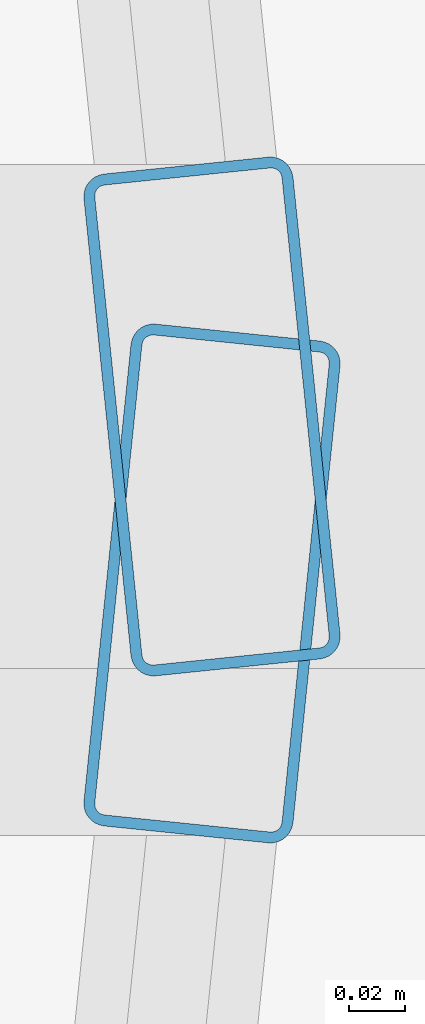
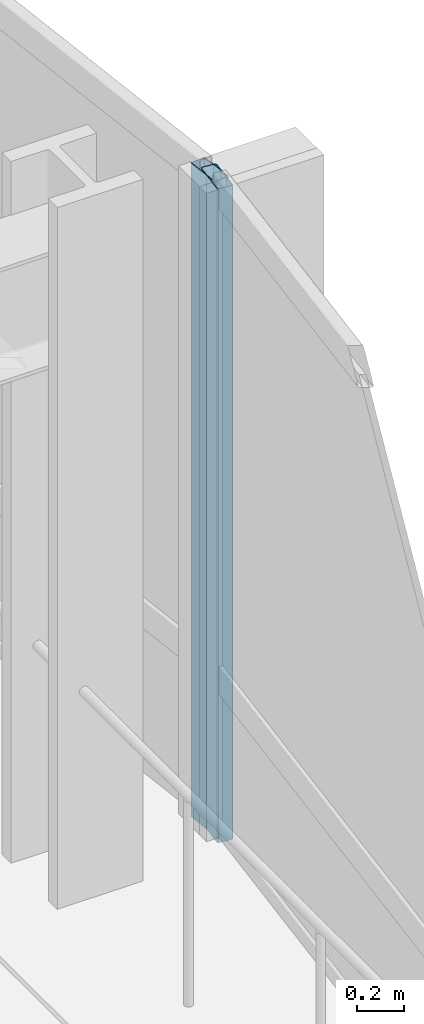
# One storey, part 25 of 34: 2 members, 2 elements without a shape of their own.
"""IFC4 building model written with IfcOpenShell, lengths in metres."""

from ifc_helpers import new_model, si_unit, direction, frame, origin, origin_2d, place, context, subcontext, project, spatial, hollow_rectangle, extrude, material, layer, layer_set, material_profile, profile_set, type_object, element, aggregate, save


model = new_model("IFC4")

# Units and contexts
model_context = context("Model", 3, precision=1e-05, world=origin(), true_north=direction((0.0, 1.0)))
body_context = subcontext(model_context, "Body", "Model", "MODEL_VIEW")
ifc_project = project(units=[si_unit("LENGTHUNIT", "METRE"), si_unit("AREAUNIT", "SQUARE_METRE"), si_unit("VOLUMEUNIT", "CUBIC_METRE"), si_unit("PLANEANGLEUNIT", "RADIAN"), si_unit("MASSUNIT", "GRAM", prefix="KILO")], contexts=[model_context])

# Site, building, storey
site_placement = place(None, origin())
site = spatial("IfcSite", under=ifc_project, at=site_placement, CompositionType="ELEMENT")
building_placement = place(site_placement, origin())
building = spatial("IfcBuilding", under=site, at=building_placement, Name="Solvaryn Broadcast Tower", CompositionType="ELEMENT")
storey_placement = place(building_placement, frame((0.0, 0.0, 73.0)))
storey = spatial("IfcBuildingStorey", under=building, at=storey_placement, Name="L17", CompositionType="ELEMENT", Elevation=73.0)

# Curtain wall, member
ifc_material_1 = material(Name="Aluminium and Terracotta Unitised Curtain Wall", Category="masonry")
ifc_layer = layer(ifc_material_1, 0.199951171875)
ifc_layer_set = layer_set([ifc_layer], Name="CW-SYS2-LOWMID")
curtain_wall_type = type_object("IfcCurtainWallType", Name="CW-SYS2-LOWMID", PredefinedType="NOTDEFINED", material=ifc_layer_set)
curtain_wall_1_placement = place(storey_placement, origin())
curtain_wall_1 = element("IfcCurtainWall", 1, at=curtain_wall_1_placement, inside=storey, type_object=curtain_wall_type, Name="L17 Curtain Wall ET1", PredefinedType="NOTDEFINED")
ifc_material_2 = material(Name="Anodised Aluminium 6063-T6", Category="aluminium")
ifc_material_profile = material_profile(ifc_material_2, hollow_rectangle(XDim=0.074951171875, YDim=0.179931640625, WallThickness=0.00390625, InnerFilletRadius=0.00390625, OuterFilletRadius=0.008056640625, at=origin_2d()))
ifc_profile_set = profile_set([ifc_material_profile], Name="Anodised Aluminium 6063-T6")
member_type = type_object("IfcMemberType", Name="CW-MUL-180", PredefinedType="MULLION", material=ifc_profile_set)
member_1_placement = place(storey_placement, frame((63.697021484375, 18.02978515625, 0.0), z_axis=(0.0, 0.0, 1.0), x_axis=(0.99474329889, 0.10240004548, 0.0)))
member_1 = element("IfcMember", 2, at=member_1_placement, type_object=member_type, Name="CWS2 mullion 2", PredefinedType="MULLION", context=body_context, shape_type="SweptSolid", body=[
    extrude(hollow_rectangle(XDim=0.074951171875, YDim=0.179931640625, WallThickness=0.00390625, InnerFilletRadius=0.00390625, OuterFilletRadius=0.008056640625, at=origin_2d()), origin(), (0.0, 0.0, 1.0), 3.419921875),
])
aggregate(curtain_wall_1, [member_1])

curtain_wall_2_placement = place(storey_placement, origin())
curtain_wall_2 = element("IfcCurtainWall", 3, at=curtain_wall_2_placement, inside=storey, type_object=curtain_wall_type, Name="L17 Curtain Wall ET2", PredefinedType="NOTDEFINED")
member_2_placement = place(storey_placement, frame((63.697021484375, 17.97021484375, 0.0), z_axis=(0.0, 0.0, 1.0), x_axis=(0.99474329889, -0.10240004548, 0.0)))
member_2 = element("IfcMember", 4, at=member_2_placement, type_object=member_type, Name="CWS2 mullion 1", PredefinedType="MULLION", context=body_context, shape_type="SweptSolid", body=[
    extrude(hollow_rectangle(XDim=0.074951171875, YDim=0.179931640625, WallThickness=0.00390625, InnerFilletRadius=0.00390625, OuterFilletRadius=0.008056640625, at=origin_2d()), origin(), (0.0, 0.0, 1.0), 3.419921875),
])
aggregate(curtain_wall_2, [member_2])

save(model, "model.ifc")
